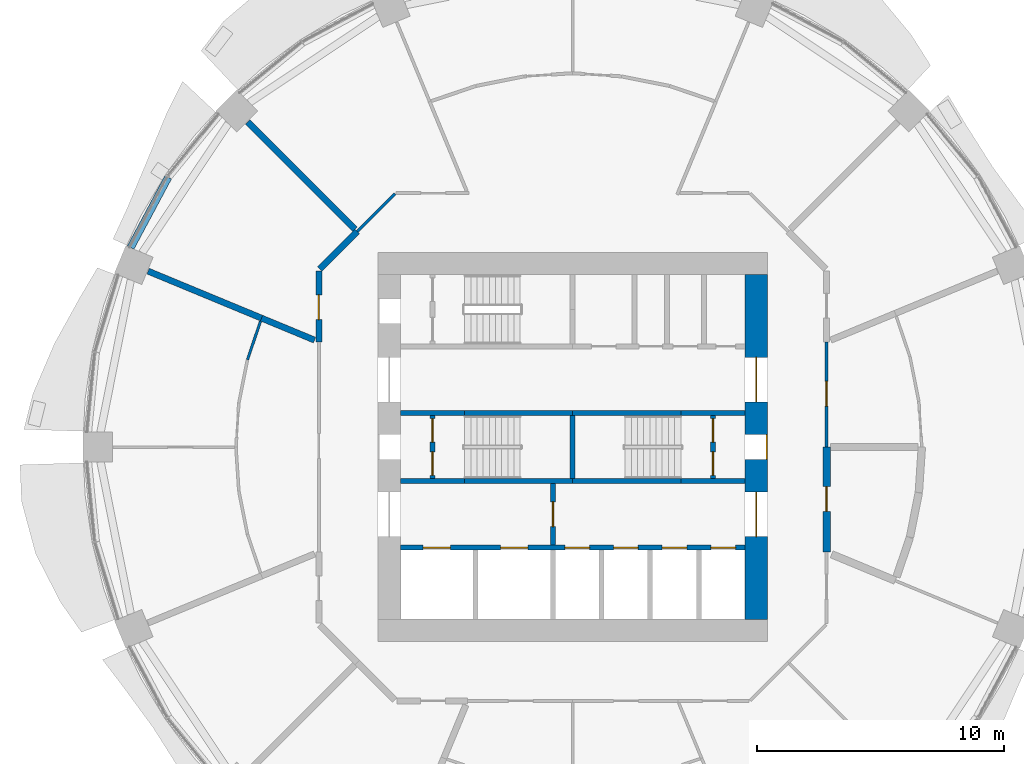
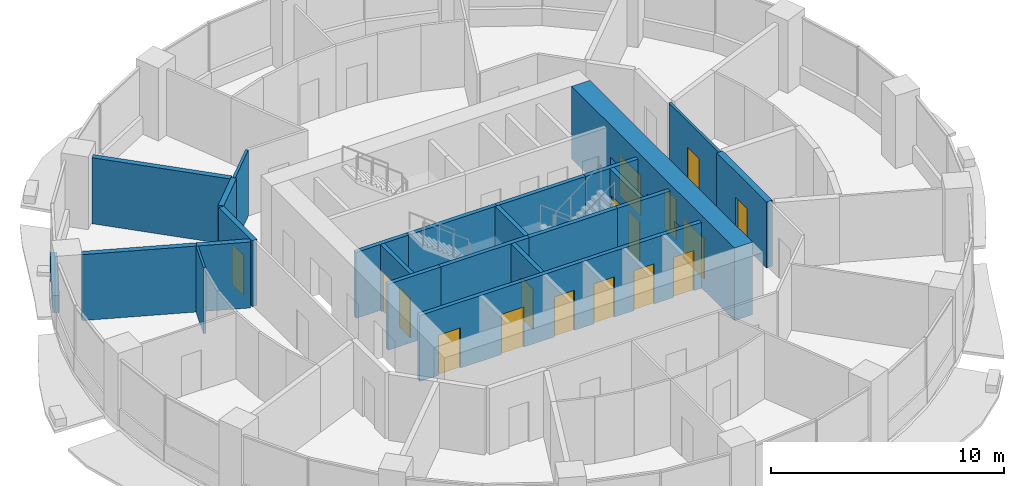
# One storey, part 9 of 15: 24 walls, 17 doors, 17 openings.
"""IFC4 building model written with IfcOpenShell, lengths in metres."""

from ifc_helpers import new_model, si_unit, direction, frame, frame_2d, origin, place, context, subcontext, project, spatial, rectangle, extrude, material, layer, layer_set, type_object, element, fill, save


model = new_model("IFC4")

# Units and contexts
model_context = context("Model", 3, precision=1e-05, world=origin(), true_north=direction((0.0, 1.0)))
body_context = subcontext(model_context, "Body", "Model", "MODEL_VIEW")
ifc_project = project(units=[si_unit("LENGTHUNIT", "METRE"), si_unit("AREAUNIT", "SQUARE_METRE"), si_unit("VOLUMEUNIT", "CUBIC_METRE"), si_unit("PLANEANGLEUNIT", "RADIAN"), si_unit("MASSUNIT", "GRAM", prefix="KILO")], contexts=[model_context])

# Site, building, storey
site_placement = place(None, origin())
site = spatial("IfcSite", under=ifc_project, at=site_placement, CompositionType="ELEMENT")
building_placement = place(site_placement, origin())
building = spatial("IfcBuilding", under=site, at=building_placement, Name="Polderwave Tower", CompositionType="ELEMENT")
storey_placement = place(building_placement, frame((0.0, 0.0, 22.39990234375)))
storey = spatial("IfcBuildingStorey", under=building, at=storey_placement, Name="L05", CompositionType="ELEMENT", Elevation=22.39990234375)

# Wall, openings, doors
ifc_material_1 = material(Name="Concrete C80/95", Category="concrete")
ifc_layer_1 = layer(ifc_material_1, 0.89990234375)
ifc_layer_set_1 = layer_set([ifc_layer_1], Name="CORE WALL 900 C80/95")
wall_type_1 = type_object("IfcWallType", Name="CORE WALL 900 C80/95", PredefinedType="SHEAR", material=ifc_layer_set_1)
wall_1_placement = place(storey_placement, frame((7.424072265625, -6.97412109375, 0.0), z_axis=(0.0, 0.0, 1.0), x_axis=(0.0, 1.0, 0.0)))
wall_1 = element("IfcWall", 1, at=wall_1_placement, inside=storey, type_object=wall_type_1, Name="ST-CORE-L05-E", PredefinedType="SHEAR", context=body_context, shape_type="SweptSolid", body=[
    extrude(rectangle(XDim=13.9482421875, YDim=0.89990234375, at=frame_2d((6.97412109375, 0.0))), origin(), (0.0, 0.0, 1.0), 3.800048828125),
])
opening_1_placement = place(wall_1_placement, frame((6.47412109375, 0.0, 0.0)))
opening_1 = element("IfcOpeningElement", 2, at=opening_1_placement, cuts=wall_1, Name="Opening L05-D22", PredefinedType="OPENING", context=body_context, shape_type="SweptSolid", body=[
    extrude(rectangle(XDim=1.0, YDim=2.10009765625, at=frame_2d((0.5, 1.050048828125))), frame((0.0, 0.4599609375, 0.0), z_axis=(0.0, -1.0, 0.0), x_axis=(1.0, 0.0, 0.0)), (0.0, 0.0, 1.0), 0.919921875),
])
opening_2_placement = place(wall_1_placement, frame((3.349609375, 0.0, 0.0)))
opening_2 = element("IfcOpeningElement", 3, at=opening_2_placement, cuts=wall_1, Name="Opening L05-D23", PredefinedType="OPENING", context=body_context, shape_type="SweptSolid", body=[
    extrude(rectangle(XDim=1.800048828125, YDim=2.10009765625, at=frame_2d((0.89990234375, 1.050048828125))), frame((0.0, 0.4599609375, 0.0), z_axis=(0.0, -1.0, 0.0), x_axis=(1.0, 0.0, 0.0)), (0.0, 0.0, 1.0), 0.919921875),
])
opening_3_placement = place(wall_1_placement, frame((8.798583984375, 0.0, 0.0)))
opening_3 = element("IfcOpeningElement", 4, at=opening_3_placement, cuts=wall_1, Name="Opening L05-D24", PredefinedType="OPENING", context=body_context, shape_type="SweptSolid", body=[
    extrude(rectangle(XDim=1.800048828125, YDim=2.10009765625, at=frame_2d((0.89990234375, 1.050048828125))), frame((0.0, 0.4599609375, 0.0), z_axis=(0.0, -1.0, 0.0), x_axis=(1.0, 0.0, 0.0)), (0.0, 0.0, 1.0), 0.919921875),
])
ifc_material_2 = material(Name="Steel fire door", Category="steel")
door_type_1 = type_object("IfcDoorType", Name="Lobby entry door pair 1800", OperationType="DOUBLE_DOOR_SINGLE_SWING", PredefinedType="DOOR", material=ifc_material_2)
door_1_placement = place(opening_2_placement, frame((1.800048828125, 0.0, 0.0), z_axis=(0.0, 0.0, 1.0), x_axis=(-1.0, 0.0, 0.0)))
door_1 = element("IfcDoor", 5, at=door_1_placement, inside=storey, type_object=door_type_1, Name="South lobby entry door", OperationType="DOUBLE_DOOR_SINGLE_SWING", OverallHeight=2.10009765625, OverallWidth=1.800048828125, PredefinedType="DOOR", context=body_context, shape_type="SweptSolid", body=[
    extrude(rectangle(XDim=1.800048828125, YDim=2.10009765625, at=frame_2d((0.89990234375, 1.050048828125))), frame((0.0, 0.02490234375, 0.0), z_axis=(0.0, -1.0, 0.0), x_axis=(1.0, 0.0, 0.0)), (0.0, 0.0, 1.0), 0.050048828125),
])
fill(opening_2, door_1)
door_2_placement = place(opening_3_placement, frame((1.800048828125, 0.0, 0.0), z_axis=(0.0, 0.0, 1.0), x_axis=(-1.0, 0.0, 0.0)))
door_2 = element("IfcDoor", 6, at=door_2_placement, inside=storey, type_object=door_type_1, Name="North lobby entry door", OperationType="DOUBLE_DOOR_SINGLE_SWING", OverallHeight=2.10009765625, OverallWidth=1.800048828125, PredefinedType="DOOR", context=body_context, shape_type="SweptSolid", body=[
    extrude(rectangle(XDim=1.800048828125, YDim=2.10009765625, at=frame_2d((0.89990234375, 1.050048828125))), frame((0.0, 0.02490234375, 0.0), z_axis=(0.0, -1.0, 0.0), x_axis=(1.0, 0.0, 0.0)), (0.0, 0.0, 1.0), 0.050048828125),
])
fill(opening_3, door_2)
door_type_2 = type_object("IfcDoorType", Name="Stair door 1000", OperationType="NOTDEFINED", PredefinedType="DOOR", material=ifc_material_2)
door_3_placement = place(opening_1_placement, frame((1.0, 0.0, 0.0), z_axis=(0.0, 0.0, 1.0), x_axis=(-1.0, 0.0, 0.0)))
door_3 = element("IfcDoor", 7, at=door_3_placement, inside=storey, type_object=door_type_2, Name="Stair B entry door", OperationType="SINGLE_SWING_LEFT", OverallHeight=2.10009765625, OverallWidth=1.0, PredefinedType="DOOR", context=body_context, shape_type="SweptSolid", body=[
    extrude(rectangle(XDim=1.0, YDim=2.10009765625, at=frame_2d((0.5, 1.050048828125))), frame((0.0, 0.4501953125, 0.0), z_axis=(0.0, -1.0, 0.0), x_axis=(1.0, 0.0, 0.0)), (0.0, 0.0, 1.0), 0.050048828125),
])
fill(opening_1, door_3)

# Wall, opening, door
ifc_material_3 = material(Name="Insulated sandwich panel")
ifc_layer_2 = layer(ifc_material_3, 0.300048828125)
ifc_layer_set_2 = layer_set([ifc_layer_2], Name="Cold room wall 300 mm insulated panel")
wall_type_2 = type_object("IfcWallType", Name="Cold room wall 300 mm insulated panel", PredefinedType="PARTITIONING", material=ifc_layer_set_2)
wall_2_placement = place(storey_placement, frame((10.27392578125, 0.0, 0.0), z_axis=(0.0, 0.0, 1.0), x_axis=(0.0, -1.0, 0.0)))
wall_2 = element("IfcWall", 8, at=wall_2_placement, inside=storey, type_object=wall_type_2, Name="IN-L05-W006", PredefinedType="PARTITIONING", context=body_context, shape_type="SweptSolid", body=[
    extrude(rectangle(XDim=4.255615234375, YDim=0.300048828125, at=frame_2d((2.1279296875, 0.0))), origin(), (0.0, 0.0, 1.0), 3.4501953125),
])
opening_4_placement = place(wall_2_placement, frame((1.60009765625, 0.0, 0.0)))
opening_4 = element("IfcOpeningElement", 9, at=opening_4_placement, cuts=wall_2, Name="Opening L05-D53", PredefinedType="OPENING", context=body_context, shape_type="SweptSolid", body=[
    extrude(rectangle(XDim=1.0, YDim=2.10009765625, at=frame_2d((0.5, 1.050048828125))), frame((0.0, 0.159912109375, 0.0), z_axis=(0.0, -1.0, 0.0), x_axis=(1.0, 0.0, 0.0)), (0.0, 0.0, 1.0), 0.320068359375),
])
ifc_material_4 = material(Name="Steel plant door leaf", Category="steel")
door_type_3 = type_object("IfcDoorType", Name="Plant door FD60 1000 x 2100 steel", OperationType="NOTDEFINED", PredefinedType="DOOR", material=ifc_material_4)
door_4_placement = place(opening_4_placement, origin())
door_4 = element("IfcDoor", 10, at=door_4_placement, inside=storey, type_object=door_type_3, Name="Door L05-D53", OperationType="SINGLE_SWING_LEFT", OverallHeight=2.10009765625, OverallWidth=1.0, PredefinedType="DOOR", context=body_context, shape_type="SweptSolid", body=[
    extrude(rectangle(XDim=1.0, YDim=2.10009765625, at=frame_2d((0.5, 1.050048828125))), frame((0.0, 0.02490234375, 0.0), z_axis=(0.0, -1.0, 0.0), x_axis=(1.0, 0.0, 0.0)), (0.0, 0.0, 1.0), 0.050048828125),
])
fill(opening_4, door_4)

# Wall
ifc_material_5 = material(Name="Concrete C50/60 (board-marked)", Category="concrete")
ifc_layer_3 = layer(ifc_material_5, 0.300048828125)
ifc_layer_set_3 = layer_set([ifc_layer_3], Name="Concrete spandrel upstand C50/60")
wall_type_3 = type_object("IfcWallType", Name="Concrete spandrel upstand C50/60", PredefinedType="SOLIDWALL", material=ifc_layer_set_3)
wall_3_placement = place(storey_placement, frame((-16.3701171875, 10.919921875, 0.0), z_axis=(0.0, 0.0, 1.0), x_axis=(-0.471322475968, -0.881960953585, 0.0)))
element("IfcWall", 11, at=wall_3_placement, inside=storey, type_object=wall_type_3, Name="Spandrel L05 7b", PredefinedType="SOLIDWALL", context=body_context, shape_type="SweptSolid", body=[
    extrude(rectangle(XDim=3.2265625, YDim=0.300048828125, at=frame_2d((1.61328125, 0.0))), origin(), (0.0, 0.0, 1.0), 0.900146484375),
])

# Wall, opening, door
ifc_material_6 = material(Name="Gypsum board partition")
ifc_layer_4 = layer(ifc_material_6, 0.199951171875)
ifc_layer_set_4 = layer_set([ifc_layer_4], Name="Core room partition 200")
wall_type_4 = type_object("IfcWallType", Name="Core room partition 200", PredefinedType="PARTITIONING", material=ifc_layer_set_4)
wall_4_placement = place(storey_placement, frame((-0.800048828125, -3.97412109375, 0.0), z_axis=(0.0, 0.0, 1.0), x_axis=(0.0, 1.0, 0.0)))
wall_4 = element("IfcWall", 12, at=wall_4_placement, inside=storey, type_object=wall_type_4, Name="L05 fire-fighting lobby wall", PredefinedType="PARTITIONING", context=body_context, shape_type="SweptSolid", body=[
    extrude(rectangle(XDim=2.4990234375, YDim=0.199951171875, at=frame_2d((1.24951171875, 0.0))), origin(), (0.0, 0.0, 1.0), 3.4501953125),
])
opening_5_placement = place(wall_4_placement, frame((0.74951171875, 0.0, 0.0)))
opening_5 = element("IfcOpeningElement", 13, at=opening_5_placement, cuts=wall_4, Name="Opening L05-D13", PredefinedType="OPENING", context=body_context, shape_type="SweptSolid", body=[
    extrude(rectangle(XDim=1.0, YDim=2.10009765625, at=frame_2d((0.5, 1.050048828125))), frame((0.0, 0.10986328125, 0.0), z_axis=(0.0, -1.0, 0.0), x_axis=(1.0, 0.0, 0.0)), (0.0, 0.0, 1.0), 0.219970703125),
])
door_type_4 = type_object("IfcDoorType", Name="Lobby fire door 1000", OperationType="NOTDEFINED", PredefinedType="DOOR", material=ifc_material_2)
door_5_placement = place(opening_5_placement, frame((1.0, 0.0, 0.0), z_axis=(0.0, 0.0, 1.0), x_axis=(-1.0, 0.0, 0.0)))
door_5 = element("IfcDoor", 14, at=door_5_placement, inside=storey, type_object=door_type_4, Name="Fire-fighting lobby door", OperationType="SINGLE_SWING_LEFT", OverallHeight=2.10009765625, OverallWidth=1.0, PredefinedType="DOOR", context=body_context, shape_type="SweptSolid", body=[
    extrude(rectangle(XDim=1.0, YDim=2.10009765625, at=frame_2d((0.5, 1.050048828125))), frame((0.0, 0.02490234375, 0.0), z_axis=(0.0, -1.0, 0.0), x_axis=(1.0, 0.0, 0.0)), (0.0, 0.0, 1.0), 0.050048828125),
])
fill(opening_5, door_5)

# Wall, openings, doors
wall_5_placement = place(storey_placement, frame((-5.674072265625, -1.27490234375, 0.0), z_axis=(0.0, 0.0, 1.0), x_axis=(0.0, 1.0, 0.0)))
wall_5 = element("IfcWall", 15, at=wall_5_placement, inside=storey, type_object=wall_type_4, Name="L05 smoke lobby wall A", PredefinedType="PARTITIONING", context=body_context, shape_type="SweptSolid", body=[
    extrude(rectangle(XDim=2.5498046875, YDim=0.199951171875, at=frame_2d((1.27490234375, 0.0))), origin(), (0.0, 0.0, 1.0), 3.4501953125),
])
opening_6_placement = place(wall_5_placement, frame((0.125, 0.0, 0.0)))
opening_6 = element("IfcOpeningElement", 16, at=opening_6_placement, cuts=wall_5, Name="Opening L05-D07", PredefinedType="OPENING", context=body_context, shape_type="SweptSolid", body=[
    extrude(rectangle(XDim=0.949951171875, YDim=2.10009765625, at=frame_2d((0.47509765625, 1.050048828125))), frame((0.0, 0.10986328125, 0.0), z_axis=(0.0, -1.0, 0.0), x_axis=(1.0, 0.0, 0.0)), (0.0, 0.0, 1.0), 0.219970703125),
])
opening_7_placement = place(wall_5_placement, frame((1.47509765625, 0.0, 0.0)))
opening_7 = element("IfcOpeningElement", 17, at=opening_7_placement, cuts=wall_5, Name="Opening L05-D08", PredefinedType="OPENING", context=body_context, shape_type="SweptSolid", body=[
    extrude(rectangle(XDim=0.949951171875, YDim=2.10009765625, at=frame_2d((0.47509765625, 1.050048828125))), frame((0.0, 0.10986328125, 0.0), z_axis=(0.0, -1.0, 0.0), x_axis=(1.0, 0.0, 0.0)), (0.0, 0.0, 1.0), 0.219970703125),
])
door_type_5 = type_object("IfcDoorType", Name="Smoke lobby door 950", OperationType="NOTDEFINED", PredefinedType="DOOR", material=ifc_material_2)
door_6_placement = place(opening_6_placement, origin())
door_6 = element("IfcDoor", 18, at=door_6_placement, inside=storey, type_object=door_type_5, Name="Stair A smoke lobby inner door", OperationType="SINGLE_SWING_LEFT", OverallHeight=2.10009765625, OverallWidth=0.949951171875, PredefinedType="DOOR", context=body_context, shape_type="SweptSolid", body=[
    extrude(rectangle(XDim=0.949951171875, YDim=2.10009765625, at=frame_2d((0.47509765625, 1.050048828125))), frame((0.0, 0.02490234375, 0.0), z_axis=(0.0, -1.0, 0.0), x_axis=(1.0, 0.0, 0.0)), (0.0, 0.0, 1.0), 0.050048828125),
])
fill(opening_6, door_6)
door_7_placement = place(opening_7_placement, origin())
door_7 = element("IfcDoor", 19, at=door_7_placement, inside=storey, type_object=door_type_5, Name="Stair A smoke lobby inner door", OperationType="SINGLE_SWING_RIGHT", OverallHeight=2.10009765625, OverallWidth=0.949951171875, PredefinedType="DOOR", context=body_context, shape_type="SweptSolid", body=[
    extrude(rectangle(XDim=0.949951171875, YDim=2.10009765625, at=frame_2d((0.47509765625, 1.050048828125))), frame((0.0, 0.02490234375, 0.0), z_axis=(0.0, -1.0, 0.0), x_axis=(1.0, 0.0, 0.0)), (0.0, 0.0, 1.0), 0.050048828125),
])
fill(opening_7, door_7)

wall_6_placement = place(storey_placement, frame((5.674072265625, -1.27490234375, 0.0), z_axis=(0.0, 0.0, 1.0), x_axis=(0.0, 1.0, 0.0)))
wall_6 = element("IfcWall", 20, at=wall_6_placement, inside=storey, type_object=wall_type_4, Name="L05 smoke lobby wall B", PredefinedType="PARTITIONING", context=body_context, shape_type="SweptSolid", body=[
    extrude(rectangle(XDim=2.5498046875, YDim=0.199951171875, at=frame_2d((1.27490234375, 0.0))), origin(), (0.0, 0.0, 1.0), 3.4501953125),
])
opening_8_placement = place(wall_6_placement, frame((0.125, 0.0, 0.0)))
opening_8 = element("IfcOpeningElement", 21, at=opening_8_placement, cuts=wall_6, Name="Opening L05-D09", PredefinedType="OPENING", context=body_context, shape_type="SweptSolid", body=[
    extrude(rectangle(XDim=0.949951171875, YDim=2.10009765625, at=frame_2d((0.47509765625, 1.050048828125))), frame((0.0, 0.10986328125, 0.0), z_axis=(0.0, -1.0, 0.0), x_axis=(1.0, 0.0, 0.0)), (0.0, 0.0, 1.0), 0.219970703125),
])
opening_9_placement = place(wall_6_placement, frame((1.47509765625, 0.0, 0.0)))
opening_9 = element("IfcOpeningElement", 22, at=opening_9_placement, cuts=wall_6, Name="Opening L05-D10", PredefinedType="OPENING", context=body_context, shape_type="SweptSolid", body=[
    extrude(rectangle(XDim=0.949951171875, YDim=2.10009765625, at=frame_2d((0.47509765625, 1.050048828125))), frame((0.0, 0.10986328125, 0.0), z_axis=(0.0, -1.0, 0.0), x_axis=(1.0, 0.0, 0.0)), (0.0, 0.0, 1.0), 0.219970703125),
])
door_8_placement = place(opening_8_placement, frame((0.949951171875, 0.0, 0.0), z_axis=(0.0, 0.0, 1.0), x_axis=(-1.0, 0.0, 0.0)))
door_8 = element("IfcDoor", 23, at=door_8_placement, inside=storey, type_object=door_type_5, Name="Stair B smoke lobby inner door", OperationType="SINGLE_SWING_RIGHT", OverallHeight=2.10009765625, OverallWidth=0.949951171875, PredefinedType="DOOR", context=body_context, shape_type="SweptSolid", body=[
    extrude(rectangle(XDim=0.949951171875, YDim=2.10009765625, at=frame_2d((0.47509765625, 1.050048828125))), frame((0.0, 0.02490234375, 0.0), z_axis=(0.0, -1.0, 0.0), x_axis=(1.0, 0.0, 0.0)), (0.0, 0.0, 1.0), 0.050048828125),
])
fill(opening_8, door_8)
door_9_placement = place(opening_9_placement, frame((0.949951171875, 0.0, 0.0), z_axis=(0.0, 0.0, 1.0), x_axis=(-1.0, 0.0, 0.0)))
door_9 = element("IfcDoor", 24, at=door_9_placement, inside=storey, type_object=door_type_5, Name="Stair B smoke lobby inner door", OperationType="SINGLE_SWING_LEFT", OverallHeight=2.10009765625, OverallWidth=0.949951171875, PredefinedType="DOOR", context=body_context, shape_type="SweptSolid", body=[
    extrude(rectangle(XDim=0.949951171875, YDim=2.10009765625, at=frame_2d((0.47509765625, 1.050048828125))), frame((0.0, 0.02490234375, 0.0), z_axis=(0.0, -1.0, 0.0), x_axis=(1.0, 0.0, 0.0)), (0.0, 0.0, 1.0), 0.050048828125),
])
fill(opening_9, door_9)

ifc_material_7 = material(Name="Concrete C50/60", Category="concrete")
ifc_layer_5 = layer(ifc_material_7, 0.199951171875)
ifc_layer_set_5 = layer_set([ifc_layer_5], Name="Core web wall 200")
wall_type_5 = type_object("IfcWallType", Name="Core web wall 200", PredefinedType="SHEAR", material=ifc_layer_set_5)
wall_7_placement = place(storey_placement, frame((-6.97412109375, -4.073974609375, 0.0), z_axis=(0.0, 0.0, 1.0), x_axis=(1.0, 0.0, 0.0)))
wall_7 = element("IfcWall", 25, at=wall_7_placement, inside=storey, type_object=wall_type_5, Name="L05 south front wall", PredefinedType="SHEAR", context=body_context, shape_type="SweptSolid", body=[
    extrude(rectangle(XDim=13.9482421875, YDim=0.199951171875, at=frame_2d((6.97412109375, 0.0))), origin(), (0.0, 0.0, 1.0), 3.4501953125),
])
opening_10_placement = place(wall_7_placement, frame((0.91845703125, 0.0, 0.0)))
opening_10 = element("IfcOpeningElement", 26, at=opening_10_placement, cuts=wall_7, Name="Opening L05-D01", PredefinedType="OPENING", context=body_context, shape_type="SweptSolid", body=[
    extrude(rectangle(XDim=1.10009765625, YDim=2.10009765625, at=frame_2d((0.550048828125, 1.050048828125))), frame((0.0, 0.10986328125, 0.0), z_axis=(0.0, -1.0, 0.0), x_axis=(1.0, 0.0, 0.0)), (0.0, 0.0, 1.0), 0.219970703125),
])
opening_11_placement = place(wall_7_placement, frame((4.055419921875, 0.0, 0.0)))
opening_11 = element("IfcOpeningElement", 27, at=opening_11_placement, cuts=wall_7, Name="Opening L05-D02", PredefinedType="OPENING", context=body_context, shape_type="SweptSolid", body=[
    extrude(rectangle(XDim=1.10009765625, YDim=2.10009765625, at=frame_2d((0.550048828125, 1.050048828125))), frame((0.0, 0.10986328125, 0.0), z_axis=(0.0, -1.0, 0.0), x_axis=(1.0, 0.0, 0.0)), (0.0, 0.0, 1.0), 0.219970703125),
])
opening_12_placement = place(wall_7_placement, frame((6.658203125, 0.0, 0.0)))
opening_12 = element("IfcOpeningElement", 28, at=opening_12_placement, cuts=wall_7, Name="Opening L05-D03", PredefinedType="OPENING", context=body_context, shape_type="SweptSolid", body=[
    extrude(rectangle(XDim=1.0, YDim=2.10009765625, at=frame_2d((0.5, 1.050048828125))), frame((0.0, 0.10986328125, 0.0), z_axis=(0.0, -1.0, 0.0), x_axis=(1.0, 0.0, 0.0)), (0.0, 0.0, 1.0), 0.219970703125),
])
opening_13_placement = place(wall_7_placement, frame((8.626708984375, 0.0, 0.0)))
opening_13 = element("IfcOpeningElement", 29, at=opening_13_placement, cuts=wall_7, Name="Opening L05-D04", PredefinedType="OPENING", context=body_context, shape_type="SweptSolid", body=[
    extrude(rectangle(XDim=1.0, YDim=2.10009765625, at=frame_2d((0.5, 1.050048828125))), frame((0.0, 0.10986328125, 0.0), z_axis=(0.0, -1.0, 0.0), x_axis=(1.0, 0.0, 0.0)), (0.0, 0.0, 1.0), 0.219970703125),
])
opening_14_placement = place(wall_7_placement, frame((10.59521484375, 0.0, 0.0)))
opening_14 = element("IfcOpeningElement", 30, at=opening_14_placement, cuts=wall_7, Name="Opening L05-D05", PredefinedType="OPENING", context=body_context, shape_type="SweptSolid", body=[
    extrude(rectangle(XDim=1.0, YDim=2.10009765625, at=frame_2d((0.5, 1.050048828125))), frame((0.0, 0.10986328125, 0.0), z_axis=(0.0, -1.0, 0.0), x_axis=(1.0, 0.0, 0.0)), (0.0, 0.0, 1.0), 0.219970703125),
])
opening_15_placement = place(wall_7_placement, frame((12.563720703125, 0.0, 0.0)))
opening_15 = element("IfcOpeningElement", 31, at=opening_15_placement, cuts=wall_7, Name="Opening L05-D06", PredefinedType="OPENING", context=body_context, shape_type="SweptSolid", body=[
    extrude(rectangle(XDim=1.0, YDim=2.10009765625, at=frame_2d((0.5, 1.050048828125))), frame((0.0, 0.10986328125, 0.0), z_axis=(0.0, -1.0, 0.0), x_axis=(1.0, 0.0, 0.0)), (0.0, 0.0, 1.0), 0.219970703125),
])
ifc_material_8 = material(Name="Stainless steel", Category="steel")
door_type_6 = type_object("IfcDoorType", Name="Fire-fighting lift landing door 1100", OperationType="DOUBLE_DOOR_SLIDING", PredefinedType="DOOR", material=ifc_material_8)
door_10_placement = place(opening_10_placement, origin())
door_10 = element("IfcDoor", 32, at=door_10_placement, inside=storey, type_object=door_type_6, Name="Fire-fighting lift FF1 landing door", OperationType="DOUBLE_DOOR_SLIDING", OverallHeight=2.10009765625, OverallWidth=1.10009765625, PredefinedType="DOOR", context=body_context, shape_type="SweptSolid", body=[
    extrude(rectangle(XDim=1.10009765625, YDim=2.10009765625, at=frame_2d((0.550048828125, 1.050048828125))), frame((0.0, 0.02490234375, 0.0), z_axis=(0.0, -1.0, 0.0), x_axis=(1.0, 0.0, 0.0)), (0.0, 0.0, 1.0), 0.050048828125),
])
fill(opening_10, door_10)
door_11_placement = place(opening_11_placement, origin())
door_11 = element("IfcDoor", 33, at=door_11_placement, inside=storey, type_object=door_type_6, Name="Fire-fighting lift FF2 landing door", OperationType="DOUBLE_DOOR_SLIDING", OverallHeight=2.10009765625, OverallWidth=1.10009765625, PredefinedType="DOOR", context=body_context, shape_type="SweptSolid", body=[
    extrude(rectangle(XDim=1.10009765625, YDim=2.10009765625, at=frame_2d((0.550048828125, 1.050048828125))), frame((0.0, 0.02490234375, 0.0), z_axis=(0.0, -1.0, 0.0), x_axis=(1.0, 0.0, 0.0)), (0.0, 0.0, 1.0), 0.050048828125),
])
fill(opening_11, door_11)
door_type_7 = type_object("IfcDoorType", Name="Lift landing door 1000", OperationType="DOUBLE_DOOR_SLIDING", PredefinedType="DOOR", material=ifc_material_8)
door_12_placement = place(opening_12_placement, origin())
door_12 = element("IfcDoor", 34, at=door_12_placement, inside=storey, type_object=door_type_7, Name="Lift LL1 landing door", OperationType="DOUBLE_DOOR_SLIDING", OverallHeight=2.10009765625, OverallWidth=1.0, PredefinedType="DOOR", context=body_context, shape_type="SweptSolid", body=[
    extrude(rectangle(XDim=1.0, YDim=2.10009765625, at=frame_2d((0.5, 1.050048828125))), frame((0.0, 0.02490234375, 0.0), z_axis=(0.0, -1.0, 0.0), x_axis=(1.0, 0.0, 0.0)), (0.0, 0.0, 1.0), 0.050048828125),
])
fill(opening_12, door_12)
door_13_placement = place(opening_13_placement, origin())
door_13 = element("IfcDoor", 35, at=door_13_placement, inside=storey, type_object=door_type_7, Name="Lift LL2 landing door", OperationType="DOUBLE_DOOR_SLIDING", OverallHeight=2.10009765625, OverallWidth=1.0, PredefinedType="DOOR", context=body_context, shape_type="SweptSolid", body=[
    extrude(rectangle(XDim=1.0, YDim=2.10009765625, at=frame_2d((0.5, 1.050048828125))), frame((0.0, 0.02490234375, 0.0), z_axis=(0.0, -1.0, 0.0), x_axis=(1.0, 0.0, 0.0)), (0.0, 0.0, 1.0), 0.050048828125),
])
fill(opening_13, door_13)
door_14_placement = place(opening_14_placement, origin())
door_14 = element("IfcDoor", 36, at=door_14_placement, inside=storey, type_object=door_type_7, Name="Lift LL3 landing door", OperationType="DOUBLE_DOOR_SLIDING", OverallHeight=2.10009765625, OverallWidth=1.0, PredefinedType="DOOR", context=body_context, shape_type="SweptSolid", body=[
    extrude(rectangle(XDim=1.0, YDim=2.10009765625, at=frame_2d((0.5, 1.050048828125))), frame((0.0, 0.02490234375, 0.0), z_axis=(0.0, -1.0, 0.0), x_axis=(1.0, 0.0, 0.0)), (0.0, 0.0, 1.0), 0.050048828125),
])
fill(opening_14, door_14)
door_15_placement = place(opening_15_placement, origin())
door_15 = element("IfcDoor", 37, at=door_15_placement, inside=storey, type_object=door_type_7, Name="Lift LL4 landing door", OperationType="DOUBLE_DOOR_SLIDING", OverallHeight=2.10009765625, OverallWidth=1.0, PredefinedType="DOOR", context=body_context, shape_type="SweptSolid", body=[
    extrude(rectangle(XDim=1.0, YDim=2.10009765625, at=frame_2d((0.5, 1.050048828125))), frame((0.0, 0.02490234375, 0.0), z_axis=(0.0, -1.0, 0.0), x_axis=(1.0, 0.0, 0.0)), (0.0, 0.0, 1.0), 0.050048828125),
])
fill(opening_15, door_15)

# Walls
wall_8_placement = place(storey_placement, frame((-6.97412109375, -1.375, 0.0), z_axis=(0.0, 0.0, 1.0), x_axis=(1.0, 0.0, 0.0)))
element("IfcWall", 38, at=wall_8_placement, inside=storey, type_object=wall_type_5, Name="L05 south stair wall 1", PredefinedType="SHEAR", context=body_context, shape_type="SweptSolid", body=[
    extrude(rectangle(XDim=2.60009765625, YDim=0.199951171875, at=frame_2d((1.300048828125, 0.0))), origin(), (0.0, 0.0, 1.0), 3.4501953125),
])
for number, where, z_axis, x_axis, name in (
    (39, (-4.3740234375, -1.375, 0.0), (0.0, 0.0, 1.0), (1.0, 0.0, 0.0), "L05 south stair wall 2"),
    (40, (0.0, -1.375, 0.0), (0.0, 0.0, 1.0), (1.0, 0.0, 0.0), "L05 south stair wall 3"),
):
    element("IfcWall", number, at=place(storey_placement, frame(where, z_axis=z_axis, x_axis=x_axis)), inside=storey, type_object=wall_type_5, Name=name, PredefinedType="SHEAR", context=body_context, shape_type="SweptSolid", body=[
        extrude(rectangle(XDim=4.3740234375, YDim=0.199951171875, at=frame_2d((2.18701171875, 0.0))), origin(), (0.0, 0.0, 1.0), 3.4501953125),
    ])
for number, where, z_axis, x_axis, name in (
    (41, (4.3740234375, -1.375, 0.0), (0.0, 0.0, 1.0), (1.0, 0.0, 0.0), "L05 south stair wall 4"),
    (42, (-6.97412109375, 1.375, 0.0), (0.0, 0.0, 1.0), (1.0, 0.0, 0.0), "L05 north stair wall 1"),
):
    element("IfcWall", number, at=place(storey_placement, frame(where, z_axis=z_axis, x_axis=x_axis)), inside=storey, type_object=wall_type_5, Name=name, PredefinedType="SHEAR", context=body_context, shape_type="SweptSolid", body=[
        extrude(rectangle(XDim=2.60009765625, YDim=0.199951171875, at=frame_2d((1.300048828125, 0.0))), origin(), (0.0, 0.0, 1.0), 3.4501953125),
    ])
for number, where, z_axis, x_axis, name in (
    (43, (-4.3740234375, 1.375, 0.0), (0.0, 0.0, 1.0), (1.0, 0.0, 0.0), "L05 north stair wall 2"),
    (44, (0.0, 1.375, 0.0), (0.0, 0.0, 1.0), (1.0, 0.0, 0.0), "L05 north stair wall 3"),
):
    element("IfcWall", number, at=place(storey_placement, frame(where, z_axis=z_axis, x_axis=x_axis)), inside=storey, type_object=wall_type_5, Name=name, PredefinedType="SHEAR", context=body_context, shape_type="SweptSolid", body=[
        extrude(rectangle(XDim=4.3740234375, YDim=0.199951171875, at=frame_2d((2.18701171875, 0.0))), origin(), (0.0, 0.0, 1.0), 3.4501953125),
    ])
wall_9_placement = place(storey_placement, frame((4.3740234375, 1.375, 0.0), z_axis=(0.0, 0.0, 1.0), x_axis=(1.0, 0.0, 0.0)))
element("IfcWall", 45, at=wall_9_placement, inside=storey, type_object=wall_type_5, Name="L05 north stair wall 4", PredefinedType="SHEAR", context=body_context, shape_type="SweptSolid", body=[
    extrude(rectangle(XDim=2.60009765625, YDim=0.199951171875, at=frame_2d((1.300048828125, 0.0))), origin(), (0.0, 0.0, 1.0), 3.4501953125),
])
wall_10_placement = place(storey_placement, frame((0.0, -1.27490234375, 0.0), z_axis=(0.0, 0.0, 1.0), x_axis=(0.0, 1.0, 0.0)))
element("IfcWall", 46, at=wall_10_placement, inside=storey, type_object=wall_type_5, Name="L05 wall between the stairs", PredefinedType="SHEAR", context=body_context, shape_type="SweptSolid", body=[
    extrude(rectangle(XDim=2.5498046875, YDim=0.199951171875, at=frame_2d((1.27490234375, 0.0))), origin(), (0.0, 0.0, 1.0), 3.4501953125),
])

# Wall, opening, door
ifc_material_9 = material(Name="Fire-resisting board on steel studs", Category="steel")
ifc_layer_6 = layer(ifc_material_9, 0.125)
ifc_layer_set_6 = layer_set([ifc_layer_6], Name="Corridor wall 125 mm EI 60")
wall_type_6 = type_object("IfcWallType", Name="Corridor wall 125 mm EI 60", PredefinedType="PARTITIONING", material=ifc_layer_set_6)
wall_11_placement = place(storey_placement, frame((10.27392578125, 4.255615234375, 0.0), z_axis=(0.0, 0.0, 1.0), x_axis=(0.0, -1.0, 0.0)))
wall_11 = element("IfcWall", 47, at=wall_11_placement, inside=storey, type_object=wall_type_6, Name="IN-L05-W001", PredefinedType="PARTITIONING", context=body_context, shape_type="SweptSolid", body=[
    extrude(rectangle(XDim=4.255615234375, YDim=0.125, at=frame_2d((2.1279296875, 0.0))), origin(), (0.0, 0.0, 1.0), 3.4501953125),
])
opening_16_placement = place(wall_11_placement, frame((1.60009765625, 0.0, 0.0)))
opening_16 = element("IfcOpeningElement", 48, at=opening_16_placement, cuts=wall_11, Name="Opening L05-D50", PredefinedType="OPENING", context=body_context, shape_type="SweptSolid", body=[
    extrude(rectangle(XDim=1.0, YDim=2.10009765625, at=frame_2d((0.5, 1.050048828125))), frame((0.0, 0.072509765625, 0.0), z_axis=(0.0, -1.0, 0.0), x_axis=(1.0, 0.0, 0.0)), (0.0, 0.0, 1.0), 0.14501953125),
])
ifc_material_10 = material(Name="Timber fire door leaf", Category="wood")
door_type_8 = type_object("IfcDoorType", Name="Fire door FD30S 1000 x 2100", OperationType="NOTDEFINED", PredefinedType="DOOR", material=ifc_material_10)
door_16_placement = place(opening_16_placement, origin())
door_16 = element("IfcDoor", 49, at=door_16_placement, inside=storey, type_object=door_type_8, Name="Door L05-D50", OperationType="SINGLE_SWING_LEFT", OverallHeight=2.10009765625, OverallWidth=1.0, PredefinedType="DOOR", context=body_context, shape_type="SweptSolid", body=[
    extrude(rectangle(XDim=1.0, YDim=2.10009765625, at=frame_2d((0.5, 1.050048828125))), frame((0.0, 0.02490234375, 0.0), z_axis=(0.0, -1.0, 0.0), x_axis=(1.0, 0.0, 0.0)), (0.0, 0.0, 1.0), 0.050048828125),
])
fill(opening_16, door_16)

# Walls
wall_12_placement = place(storey_placement, frame((-8.722412109375, 8.722412109375, 0.0), z_axis=(0.0, 0.0, 1.0), x_axis=(0.707050476152, 0.707163081738, 0.0)))
element("IfcWall", 50, at=wall_12_placement, inside=storey, type_object=wall_type_6, Name="IN-L05-W009", PredefinedType="PARTITIONING", context=body_context, shape_type="SweptSolid", body=[
    extrude(rectangle(XDim=2.168212890625, YDim=0.125, at=frame_2d((1.083984375, 0.0))), origin(), (0.0, 0.0, 1.0), 3.4501953125),
])
ifc_material_11 = material(Name="Moisture-resistant board on steel studs, tiled", Category="steel")
ifc_layer_7 = layer(ifc_material_11, 0.10498046875)
ifc_layer_set_7 = layer_set([ifc_layer_7], Name="Partition 105 mm wet room board and tile")
wall_type_7 = type_object("IfcWallType", Name="Partition 105 mm wet room board and tile", PredefinedType="PARTITIONING", material=ifc_layer_set_7)
wall_13_placement = place(storey_placement, frame((-12.6337890625, 5.093994140625, 0.0), z_axis=(0.0, 0.0, 1.0), x_axis=(-0.321547397039, -0.946893484748, 0.0)))
element("IfcWall", 51, at=wall_13_placement, inside=storey, type_object=wall_type_7, Name="IN-L05-W049", PredefinedType="PARTITIONING", context=body_context, shape_type="SweptSolid", body=[
    extrude(rectangle(XDim=1.650634765625, YDim=0.10498046875, at=frame_2d((0.8251953125, 0.0))), origin(), (0.0, 0.0, 1.0), 3.4501953125),
])

# Wall, opening, door
ifc_material_12 = material(Name="Fire-resisting board on steel studs, mineral wool", Category="steel")
ifc_layer_8 = layer(ifc_material_12, 0.25)
ifc_layer_set_8 = layer_set([ifc_layer_8], Name="Plant room wall 250 mm EI 120")
wall_type_8 = type_object("IfcWallType", Name="Plant room wall 250 mm EI 120", PredefinedType="PARTITIONING", material=ifc_layer_set_8)
wall_14_placement = place(storey_placement, frame((-10.27392578125, 4.255615234375, 0.0), z_axis=(0.0, 0.0, 1.0), x_axis=(0.0, 1.0, 0.0)))
wall_14 = element("IfcWall", 52, at=wall_14_placement, inside=storey, type_object=wall_type_8, Name="IN-L05-W011", PredefinedType="PARTITIONING", context=body_context, shape_type="SweptSolid", body=[
    extrude(rectangle(XDim=2.86376953125, YDim=0.25, at=frame_2d((1.431884765625, 0.0))), origin(), (0.0, 0.0, 1.0), 3.4501953125),
])
opening_17_placement = place(wall_14_placement, frame((0.89990234375, 0.0, 0.0)))
opening_17 = element("IfcOpeningElement", 53, at=opening_17_placement, cuts=wall_14, Name="Opening L05-D56", PredefinedType="OPENING", context=body_context, shape_type="SweptSolid", body=[
    extrude(rectangle(XDim=1.0, YDim=2.10009765625, at=frame_2d((0.5, 1.050048828125))), frame((0.0, 0.135009765625, 0.0), z_axis=(0.0, -1.0, 0.0), x_axis=(1.0, 0.0, 0.0)), (0.0, 0.0, 1.0), 0.27001953125),
])
door_17_placement = place(opening_17_placement, origin())
door_17 = element("IfcDoor", 54, at=door_17_placement, inside=storey, type_object=door_type_3, Name="Door L05-D56", OperationType="SINGLE_SWING_LEFT", OverallHeight=2.10009765625, OverallWidth=1.0, PredefinedType="DOOR", context=body_context, shape_type="SweptSolid", body=[
    extrude(rectangle(XDim=1.0, YDim=2.10009765625, at=frame_2d((0.5, 1.050048828125))), frame((0.0, 0.02490234375, 0.0), z_axis=(0.0, -1.0, 0.0), x_axis=(1.0, 0.0, 0.0)), (0.0, 0.0, 1.0), 0.050048828125),
])
fill(opening_17, door_17)

# Walls
wall_15_placement = place(storey_placement, frame((-10.2373046875, 7.207763671875, 0.0), z_axis=(0.0, 0.0, 1.0), x_axis=(0.707163762272, 0.707049795509, 0.0)))
element("IfcWall", 55, at=wall_15_placement, inside=storey, type_object=wall_type_8, Name="IN-L05-W012", PredefinedType="PARTITIONING", context=body_context, shape_type="SweptSolid", body=[
    extrude(rectangle(XDim=2.14208984375, YDim=0.25, at=frame_2d((1.071044921875, 0.0))), origin(), (0.0, 0.0, 1.0), 3.4501953125),
])
wall_16_placement = place(storey_placement, frame((-8.810791015625, 8.810791015625, 0.0), z_axis=(0.0, 0.0, 1.0), x_axis=(-0.707106781187, 0.707106781187, 0.0)))
element("IfcWall", 56, at=wall_16_placement, inside=storey, type_object=wall_type_8, Name="IN-L05-W044", PredefinedType="PARTITIONING", context=body_context, shape_type="SweptSolid", body=[
    extrude(rectangle(XDim=6.1396484375, YDim=0.25, at=frame_2d((3.06982421875, 0.0))), origin(), (0.0, 0.0, 1.0), 3.4501953125),
])
wall_17_placement = place(storey_placement, frame((-12.592529296875, 5.2158203125, 0.0), z_axis=(0.0, 0.0, 1.0), x_axis=(-0.923864152058, 0.382720561955, 0.0)))
element("IfcWall", 57, at=wall_17_placement, inside=storey, type_object=wall_type_8, Name="IN-L05-W045", PredefinedType="PARTITIONING", context=body_context, shape_type="SweptSolid", body=[
    extrude(rectangle(XDim=4.969970703125, YDim=0.25, at=frame_2d((2.48486328125, 0.0))), origin(), (0.0, 0.0, 1.0), 3.4501953125),
])
wall_18_placement = place(storey_placement, frame((-10.44677734375, 4.3271484375, 0.0), z_axis=(0.0, 0.0, 1.0), x_axis=(-0.923898968867, 0.382636505481, 0.0)))
element("IfcWall", 58, at=wall_18_placement, inside=storey, type_object=wall_type_8, Name="IN-L05-W046", PredefinedType="PARTITIONING", context=body_context, shape_type="SweptSolid", body=[
    extrude(rectangle(XDim=2.322509765625, YDim=0.25, at=frame_2d((1.1611328125, 0.0))), origin(), (0.0, 0.0, 1.0), 3.4501953125),
])

save(model, "model.ifc")
